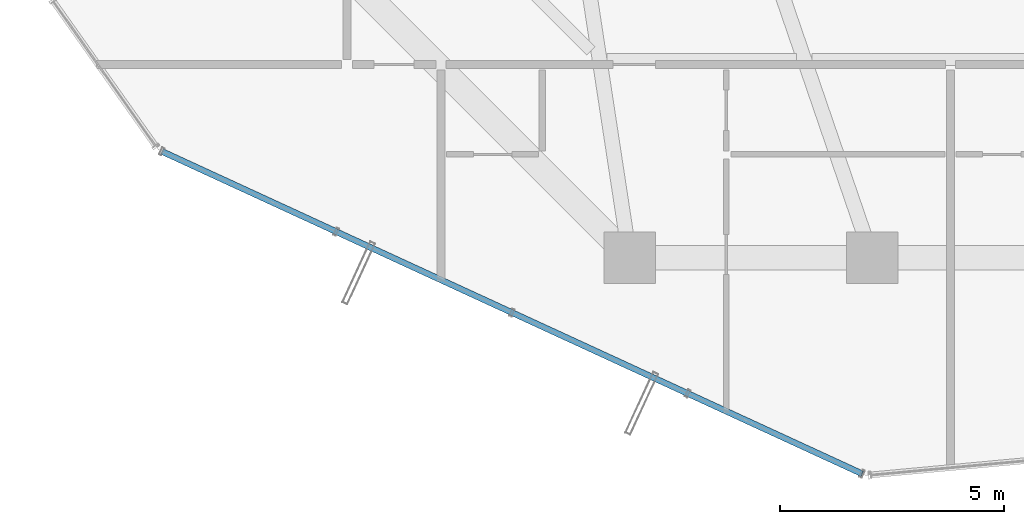
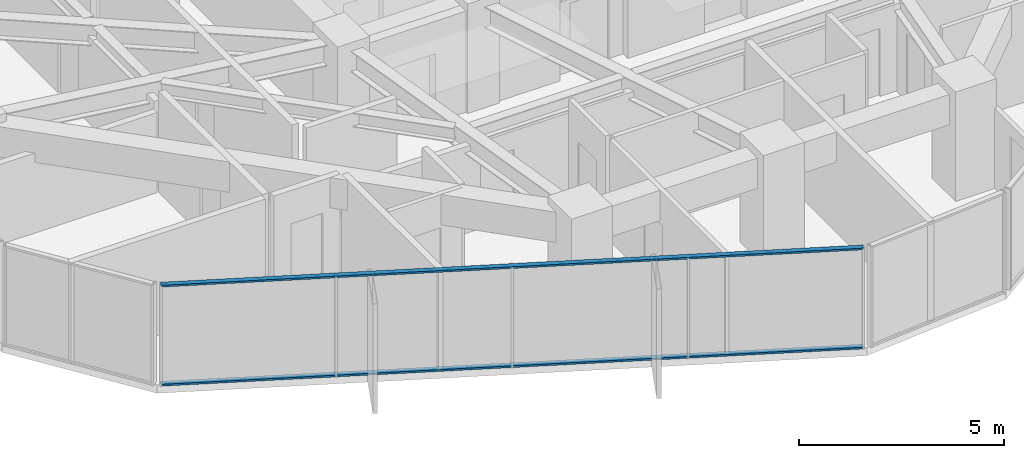
# One storey, part 3 of 33: 2 members, 1 element without a shape of its own.
"""IFC4 building model written with IfcOpenShell, lengths in metres."""

from ifc_helpers import new_model, si_unit, direction, frame, origin, origin_2d, place, context, subcontext, project, spatial, hollow_rectangle, extrude, source, transform, mapped, material, layer, layer_set, material_profile, profile_set, type_object, element, aggregate, save


model = new_model("IFC4")

# Units and contexts
model_context = context("Model", 3, precision=1e-05, world=origin(), true_north=direction((0.0, 1.0)))
body_context = subcontext(model_context, "Body", "Model", "MODEL_VIEW")
ifc_project = project(units=[si_unit("LENGTHUNIT", "METRE"), si_unit("AREAUNIT", "SQUARE_METRE"), si_unit("VOLUMEUNIT", "CUBIC_METRE"), si_unit("PLANEANGLEUNIT", "RADIAN"), si_unit("MASSUNIT", "GRAM", prefix="KILO")], contexts=[model_context])

# Site, building, storey
site_placement = place(None, origin())
site = spatial("IfcSite", under=ifc_project, at=site_placement, CompositionType="ELEMENT")
building_placement = place(site_placement, origin())
building = spatial("IfcBuilding", under=site, at=building_placement, Name="Veraguas Prism Commons", CompositionType="ELEMENT")
storey_placement = place(building_placement, frame((0.0, 0.0, 145.75)))
storey = spatial("IfcBuildingStorey", under=building, at=storey_placement, Name="L41", CompositionType="ELEMENT", Elevation=145.75)

# Curtain wall, members
ifc_material = material(Name="Anodised aluminium EN AW-6063 T6", Category="aluminium")
ifc_layer = layer(ifc_material, 0.169921875, Name="Unitised Flush Curtain Wall Zone 2", Category="aluminium")
ifc_layer_set = layer_set([ifc_layer], Name="Anodised aluminium EN AW-6063 T6")
curtain_wall_type = type_object("IfcCurtainWallType", Name="Unitised Flush Curtain Wall Zone 2", PredefinedType="NOTDEFINED", material=ifc_layer_set)
curtain_wall_placement = place(storey_placement, origin())
curtain_wall = element("IfcCurtainWall", 1, at=curtain_wall_placement, inside=storey, type_object=curtain_wall_type, Name="Tower Facade Curtain Wall L41-F4", PredefinedType="NOTDEFINED")
ifc_material_profile = material_profile(ifc_material, hollow_rectangle(XDim=0.054931640625, YDim=0.135009765625, WallThickness=0.0029296875, at=origin_2d()), Name="AL55X135X3")
ifc_profile_set = profile_set([ifc_material_profile], Name="Anodised aluminium EN AW-6063 T6")
member_type = type_object("IfcMemberType", Name="Curtain Wall Transom Standard AL 55x135x3", PredefinedType="USERDEFINED", material=ifc_profile_set)
shared_shape = source(origin(), body_context, "Body", "SweptSolid", [
    extrude(hollow_rectangle(XDim=0.054931640625, YDim=0.135009765625, WallThickness=0.0029296875, at=origin_2d()), origin(), (0.0, 0.0, 1.0), 17.17431640625),
])
member_1_placement = place(storey_placement, frame((8.177978515625, 10.166259765625, 0.027587890625), z_axis=(0.908366279801, -0.418175443708, 0.0), x_axis=(0.0, 0.0, 1.0)))
member_1 = element("IfcMember", 2, at=member_1_placement, type_object=member_type, Name="CW-Z2 Transom 1", ObjectType="TRANSOM", PredefinedType="USERDEFINED", context=body_context, shape_type="MappedRepresentation", body=[
    mapped(shared_shape, transform((0.0, 0.0, 0.0), scale=1.0)),
])
member_2_placement = place(storey_placement, frame((8.177978515625, 10.166259765625, 2.972412109375), z_axis=(0.908366279801, -0.418175443708, 0.0), x_axis=(0.0, 0.0, 1.0)))
member_2 = element("IfcMember", 3, at=member_2_placement, type_object=member_type, Name="CW-Z2 Transom 2", ObjectType="TRANSOM", PredefinedType="USERDEFINED", context=body_context, shape_type="MappedRepresentation", body=[
    mapped(shared_shape, transform((0.0, 0.0, 0.0), scale=1.0)),
])
aggregate(curtain_wall, [member_1, member_2])

save(model, "model.ifc")
